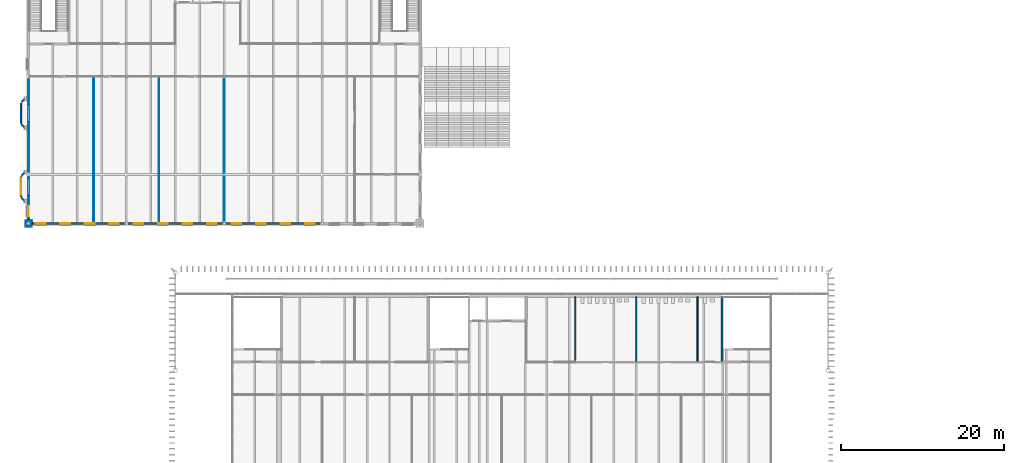
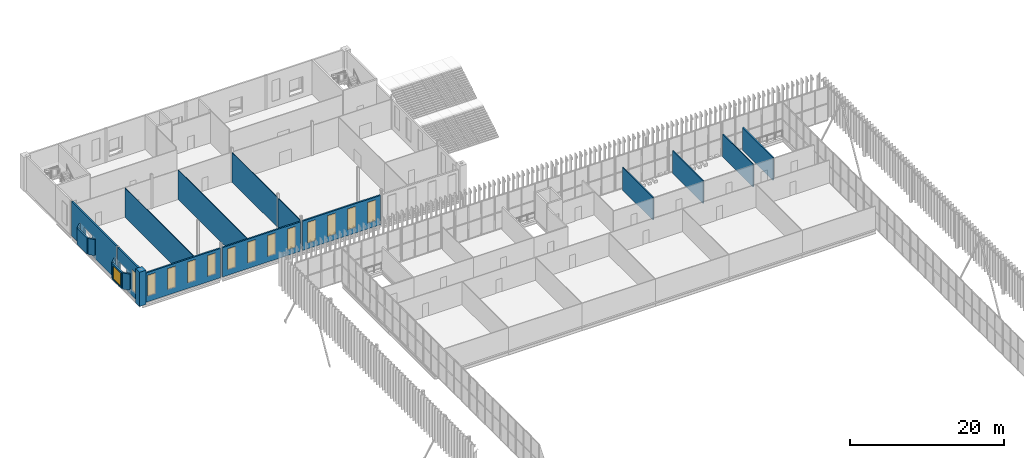
# One storey, part 111 of 170: 20 walls, 14 windows, 16 openings.
"""IFC4 building model written with IfcOpenShell, lengths in metres."""

from ifc_helpers import new_model, si_unit, direction, frame, frame_2d, origin, place, context, subcontext, project, spatial, rectangle, extrude, material, layer, layer_set, type_object, element, fill, save


model = new_model("IFC4")

# Units and contexts
model_context = context("Model", 3, precision=1e-05, world=origin(), true_north=direction((0.0, 1.0)))
body_context = subcontext(model_context, "Body", "Model", "MODEL_VIEW")
ifc_project = project(units=[si_unit("LENGTHUNIT", "METRE"), si_unit("AREAUNIT", "SQUARE_METRE"), si_unit("VOLUMEUNIT", "CUBIC_METRE"), si_unit("PLANEANGLEUNIT", "RADIAN"), si_unit("MASSUNIT", "GRAM", prefix="KILO")], contexts=[model_context])

# Site, building, storey
site_placement = place(None, origin())
site = spatial("IfcSite", under=ifc_project, at=site_placement, CompositionType="ELEMENT")
building_placement = place(site_placement, origin())
building = spatial("IfcBuilding", under=site, at=building_placement, Name="Ravi Spectrum Wholesale Market", CompositionType="ELEMENT")
storey_placement = place(building_placement, frame((0.0, 0.0, 5.39990234375)))
storey = spatial("IfcBuildingStorey", under=building, at=storey_placement, Name="L01", CompositionType="ELEMENT", Elevation=5.39990234375)

# Walls
ifc_material_1 = material(Name="Concrete blockwork", Category="masonry")
ifc_layer_1 = layer(ifc_material_1, 0.14990234375)
ifc_layer_set_1 = layer_set([ifc_layer_1], Name="Concrete blockwork")
wall_type_1 = type_object("IfcWallType", Name="Blockwork partition 150", PredefinedType="PARTITIONING", material=ifc_layer_set_1)
for number, where, z_axis, x_axis, name in (
    (1, (79.0, 187.074951171875, 0.0), (0.0, 0.0, 1.0), (0.0, 1.0, 0.0), "H1-WL-L01-032"),
    (2, (86.5, 187.074951171875, 0.0), (0.0, 0.0, 1.0), (0.0, 1.0, 0.0), "H1-WL-L01-034"),
    (3, (94.0, 187.074951171875, 0.0), (0.0, 0.0, 1.0), (0.0, 1.0, 0.0), "H1-WL-L01-036"),
):
    element("IfcWall", number, at=place(storey_placement, frame(where, z_axis=z_axis, x_axis=x_axis)), inside=storey, type_object=wall_type_1, Name=name, PredefinedType="PARTITIONING", context=body_context, shape_type="SweptSolid", body=[
        extrude(rectangle(XDim=7.925048828125, YDim=0.14990234375, at=frame_2d((3.96240234375, 0.0))), origin(), (0.0, 0.0, 1.0), 3.60009765625),
    ])
ifc_material_2 = material(Name="Concrete blockwork", Category="masonry")
ifc_layer_2 = layer(ifc_material_2, 0.199951171875)
ifc_layer_set_2 = layer_set([ifc_layer_2], Name="Concrete blockwork")
wall_type_2 = type_object("IfcWallType", Name="Blockwork partition 200 fire", PredefinedType="PARTITIONING", material=ifc_layer_set_2)
wall_1_placement = place(storey_placement, frame((97.0, 187.10009765625, 0.0), z_axis=(0.0, 0.0, 1.0), x_axis=(0.0, 1.0, 0.0)))
element("IfcWall", 4, at=wall_1_placement, inside=storey, type_object=wall_type_2, Name="H1-WL-L01-037", PredefinedType="PARTITIONING", context=body_context, shape_type="SweptSolid", body=[
    extrude(rectangle(XDim=7.89990234375, YDim=0.199951171875, at=frame_2d((3.949951171875, 0.0))), origin(), (0.0, 0.0, 1.0), 3.60009765625),
])

# Wall, openings, windows
ifc_material_3 = material(Name="Facing brickwork", Category="masonry")
ifc_layer_3 = layer(ifc_material_3, 0.22998046875)
ifc_layer_set_3 = layer_set([ifc_layer_3], Name="Facing brickwork")
wall_type_3 = type_object("IfcWallType", Name="Brick 230 facing", PredefinedType="SOLIDWALL", material=ifc_layer_set_3)
wall_2_placement = place(storey_placement, frame((12.5, 204.0, 0.0), z_axis=(0.0, 0.0, 1.0), x_axis=(1.0, 0.0, 0.0)))
wall_2 = element("IfcWall", 5, at=wall_2_placement, inside=storey, type_object=wall_type_3, Name="OF-WL-L01-009", PredefinedType="SOLIDWALL", context=body_context, shape_type="SweptSolid", body=[
    extrude(rectangle(XDim=11.35009765625, YDim=0.22998046875, at=frame_2d((5.675048828125, 0.0))), origin(), (0.0, 0.0, 1.0), 4.650146484375),
])
opening_1_placement = place(wall_2_placement, frame((0.39990234375, 0.0, 0.89990234375)))
opening_1 = element("IfcOpeningElement", 6, at=opening_1_placement, cuts=wall_2, Name="Opening W3221", PredefinedType="OPENING", context=body_context, shape_type="SweptSolid", body=[
    extrude(rectangle(XDim=1.199951171875, YDim=3.300048828125, at=frame_2d((0.60009765625, 1.64990234375))), frame((0.0, 0.125, 0.0), z_axis=(0.0, -1.0, 0.0), x_axis=(1.0, 0.0, 0.0)), (0.0, 0.0, 1.0), 0.25),
])
opening_2_placement = place(wall_2_placement, frame((3.39990234375, 0.0, 0.89990234375)))
opening_2 = element("IfcOpeningElement", 7, at=opening_2_placement, cuts=wall_2, Name="Opening W3222", PredefinedType="OPENING", context=body_context, shape_type="SweptSolid", body=[
    extrude(rectangle(XDim=1.199951171875, YDim=3.300048828125, at=frame_2d((0.60009765625, 1.64990234375))), frame((0.0, 0.125, 0.0), z_axis=(0.0, -1.0, 0.0), x_axis=(1.0, 0.0, 0.0)), (0.0, 0.0, 1.0), 0.25),
])
opening_3_placement = place(wall_2_placement, frame((6.39990234375, 0.0, 0.89990234375)))
opening_3 = element("IfcOpeningElement", 8, at=opening_3_placement, cuts=wall_2, Name="Opening W3223", PredefinedType="OPENING", context=body_context, shape_type="SweptSolid", body=[
    extrude(rectangle(XDim=1.199951171875, YDim=3.300048828125, at=frame_2d((0.60009765625, 1.64990234375))), frame((0.0, 0.125, 0.0), z_axis=(0.0, -1.0, 0.0), x_axis=(1.0, 0.0, 0.0)), (0.0, 0.0, 1.0), 0.25),
])
opening_4_placement = place(wall_2_placement, frame((9.39990234375, 0.0, 0.89990234375)))
opening_4 = element("IfcOpeningElement", 9, at=opening_4_placement, cuts=wall_2, Name="Opening W3224", PredefinedType="OPENING", context=body_context, shape_type="SweptSolid", body=[
    extrude(rectangle(XDim=1.199951171875, YDim=3.300048828125, at=frame_2d((0.60009765625, 1.64990234375))), frame((0.0, 0.125, 0.0), z_axis=(0.0, -1.0, 0.0), x_axis=(1.0, 0.0, 0.0)), (0.0, 0.0, 1.0), 0.25),
])
ifc_material_4 = material(Name="Steel window frame", Category="steel")
window_type_1 = type_object("IfcWindowType", Name="Tall pier window with jali 1200 x 3300", PartitioningType="SINGLE_PANEL", PredefinedType="WINDOW", material=ifc_material_4)
window_1_placement = place(opening_1_placement, origin())
window_1 = element("IfcWindow", 10, at=window_1_placement, inside=storey, type_object=window_type_1, Name="Window W3221", OverallHeight=3.300048828125, OverallWidth=1.199951171875, PartitioningType="SINGLE_PANEL", PredefinedType="WINDOW", context=body_context, shape_type="SweptSolid", body=[
    extrude(rectangle(XDim=1.199951171875, YDim=3.300048828125, at=frame_2d((0.60009765625, 1.64990234375))), frame((0.0, 0.030029296875, 0.0), z_axis=(0.0, -1.0, 0.0), x_axis=(1.0, 0.0, 0.0)), (0.0, 0.0, 1.0), 0.06005859375),
])
fill(opening_1, window_1)
window_2_placement = place(opening_2_placement, origin())
window_2 = element("IfcWindow", 11, at=window_2_placement, inside=storey, type_object=window_type_1, Name="Window W3222", OverallHeight=3.300048828125, OverallWidth=1.199951171875, PartitioningType="SINGLE_PANEL", PredefinedType="WINDOW", context=body_context, shape_type="SweptSolid", body=[
    extrude(rectangle(XDim=1.199951171875, YDim=3.300048828125, at=frame_2d((0.60009765625, 1.64990234375))), frame((0.0, 0.030029296875, 0.0), z_axis=(0.0, -1.0, 0.0), x_axis=(1.0, 0.0, 0.0)), (0.0, 0.0, 1.0), 0.06005859375),
])
fill(opening_2, window_2)
window_3_placement = place(opening_3_placement, origin())
window_3 = element("IfcWindow", 12, at=window_3_placement, inside=storey, type_object=window_type_1, Name="Window W3223", OverallHeight=3.300048828125, OverallWidth=1.199951171875, PartitioningType="SINGLE_PANEL", PredefinedType="WINDOW", context=body_context, shape_type="SweptSolid", body=[
    extrude(rectangle(XDim=1.199951171875, YDim=3.300048828125, at=frame_2d((0.60009765625, 1.64990234375))), frame((0.0, 0.030029296875, 0.0), z_axis=(0.0, -1.0, 0.0), x_axis=(1.0, 0.0, 0.0)), (0.0, 0.0, 1.0), 0.06005859375),
])
fill(opening_3, window_3)
window_4_placement = place(opening_4_placement, origin())
window_4 = element("IfcWindow", 13, at=window_4_placement, inside=storey, type_object=window_type_1, Name="Window W3224", OverallHeight=3.300048828125, OverallWidth=1.199951171875, PartitioningType="SINGLE_PANEL", PredefinedType="WINDOW", context=body_context, shape_type="SweptSolid", body=[
    extrude(rectangle(XDim=1.199951171875, YDim=3.300048828125, at=frame_2d((0.60009765625, 1.64990234375))), frame((0.0, 0.030029296875, 0.0), z_axis=(0.0, -1.0, 0.0), x_axis=(1.0, 0.0, 0.0)), (0.0, 0.0, 1.0), 0.06005859375),
])
fill(opening_4, window_4)

wall_3_placement = place(storey_placement, frame((24.14990234375, 204.0, 0.0), z_axis=(0.0, 0.0, 1.0), x_axis=(1.0, 0.0, 0.0)))
wall_3 = element("IfcWall", 14, at=wall_3_placement, inside=storey, type_object=wall_type_3, Name="OF-WL-L01-010", PredefinedType="SOLIDWALL", context=body_context, shape_type="SweptSolid", body=[
    extrude(rectangle(XDim=11.7001953125, YDim=0.22998046875, at=frame_2d((5.85009765625, 0.0))), origin(), (0.0, 0.0, 1.0), 4.650146484375),
])
opening_5_placement = place(wall_3_placement, frame((0.75, 0.0, 0.89990234375)))
opening_5 = element("IfcOpeningElement", 15, at=opening_5_placement, cuts=wall_3, Name="Opening W3225", PredefinedType="OPENING", context=body_context, shape_type="SweptSolid", body=[
    extrude(rectangle(XDim=1.199951171875, YDim=3.300048828125, at=frame_2d((0.60009765625, 1.64990234375))), frame((0.0, 0.125, 0.0), z_axis=(0.0, -1.0, 0.0), x_axis=(1.0, 0.0, 0.0)), (0.0, 0.0, 1.0), 0.25),
])
opening_6_placement = place(wall_3_placement, frame((3.75, 0.0, 0.89990234375)))
opening_6 = element("IfcOpeningElement", 16, at=opening_6_placement, cuts=wall_3, Name="Opening W3226", PredefinedType="OPENING", context=body_context, shape_type="SweptSolid", body=[
    extrude(rectangle(XDim=1.199951171875, YDim=3.300048828125, at=frame_2d((0.60009765625, 1.64990234375))), frame((0.0, 0.125, 0.0), z_axis=(0.0, -1.0, 0.0), x_axis=(1.0, 0.0, 0.0)), (0.0, 0.0, 1.0), 0.25),
])
opening_7_placement = place(wall_3_placement, frame((6.75, 0.0, 0.89990234375)))
opening_7 = element("IfcOpeningElement", 17, at=opening_7_placement, cuts=wall_3, Name="Opening W3227", PredefinedType="OPENING", context=body_context, shape_type="SweptSolid", body=[
    extrude(rectangle(XDim=1.199951171875, YDim=3.300048828125, at=frame_2d((0.60009765625, 1.64990234375))), frame((0.0, 0.125, 0.0), z_axis=(0.0, -1.0, 0.0), x_axis=(1.0, 0.0, 0.0)), (0.0, 0.0, 1.0), 0.25),
])
opening_8_placement = place(wall_3_placement, frame((9.75, 0.0, 0.89990234375)))
opening_8 = element("IfcOpeningElement", 18, at=opening_8_placement, cuts=wall_3, Name="Opening W3228", PredefinedType="OPENING", context=body_context, shape_type="SweptSolid", body=[
    extrude(rectangle(XDim=1.199951171875, YDim=3.300048828125, at=frame_2d((0.60009765625, 1.64990234375))), frame((0.0, 0.125, 0.0), z_axis=(0.0, -1.0, 0.0), x_axis=(1.0, 0.0, 0.0)), (0.0, 0.0, 1.0), 0.25),
])
window_5_placement = place(opening_5_placement, origin())
window_5 = element("IfcWindow", 19, at=window_5_placement, inside=storey, type_object=window_type_1, Name="Window W3225", OverallHeight=3.300048828125, OverallWidth=1.199951171875, PartitioningType="SINGLE_PANEL", PredefinedType="WINDOW", context=body_context, shape_type="SweptSolid", body=[
    extrude(rectangle(XDim=1.199951171875, YDim=3.300048828125, at=frame_2d((0.60009765625, 1.64990234375))), frame((0.0, 0.030029296875, 0.0), z_axis=(0.0, -1.0, 0.0), x_axis=(1.0, 0.0, 0.0)), (0.0, 0.0, 1.0), 0.06005859375),
])
fill(opening_5, window_5)
window_6_placement = place(opening_6_placement, origin())
window_6 = element("IfcWindow", 20, at=window_6_placement, inside=storey, type_object=window_type_1, Name="Window W3226", OverallHeight=3.300048828125, OverallWidth=1.199951171875, PartitioningType="SINGLE_PANEL", PredefinedType="WINDOW", context=body_context, shape_type="SweptSolid", body=[
    extrude(rectangle(XDim=1.199951171875, YDim=3.300048828125, at=frame_2d((0.60009765625, 1.64990234375))), frame((0.0, 0.030029296875, 0.0), z_axis=(0.0, -1.0, 0.0), x_axis=(1.0, 0.0, 0.0)), (0.0, 0.0, 1.0), 0.06005859375),
])
fill(opening_6, window_6)
window_7_placement = place(opening_7_placement, origin())
window_7 = element("IfcWindow", 21, at=window_7_placement, inside=storey, type_object=window_type_1, Name="Window W3227", OverallHeight=3.300048828125, OverallWidth=1.199951171875, PartitioningType="SINGLE_PANEL", PredefinedType="WINDOW", context=body_context, shape_type="SweptSolid", body=[
    extrude(rectangle(XDim=1.199951171875, YDim=3.300048828125, at=frame_2d((0.60009765625, 1.64990234375))), frame((0.0, 0.030029296875, 0.0), z_axis=(0.0, -1.0, 0.0), x_axis=(1.0, 0.0, 0.0)), (0.0, 0.0, 1.0), 0.06005859375),
])
fill(opening_7, window_7)
window_8_placement = place(opening_8_placement, origin())
window_8 = element("IfcWindow", 22, at=window_8_placement, inside=storey, type_object=window_type_1, Name="Window W3228", OverallHeight=3.300048828125, OverallWidth=1.199951171875, PartitioningType="SINGLE_PANEL", PredefinedType="WINDOW", context=body_context, shape_type="SweptSolid", body=[
    extrude(rectangle(XDim=1.199951171875, YDim=3.300048828125, at=frame_2d((0.60009765625, 1.64990234375))), frame((0.0, 0.030029296875, 0.0), z_axis=(0.0, -1.0, 0.0), x_axis=(1.0, 0.0, 0.0)), (0.0, 0.0, 1.0), 0.06005859375),
])
fill(opening_8, window_8)

wall_4_placement = place(storey_placement, frame((36.14990234375, 204.0, 0.0), z_axis=(0.0, 0.0, 1.0), x_axis=(1.0, 0.0, 0.0)))
wall_4 = element("IfcWall", 23, at=wall_4_placement, inside=storey, type_object=wall_type_3, Name="OF-WL-L01-011", PredefinedType="SOLIDWALL", context=body_context, shape_type="SweptSolid", body=[
    extrude(rectangle(XDim=11.7001953125, YDim=0.22998046875, at=frame_2d((5.85009765625, 0.0))), origin(), (0.0, 0.0, 1.0), 4.650146484375),
])
opening_9_placement = place(wall_4_placement, frame((0.75, 0.0, 0.89990234375)))
opening_9 = element("IfcOpeningElement", 24, at=opening_9_placement, cuts=wall_4, Name="Opening W3229", PredefinedType="OPENING", context=body_context, shape_type="SweptSolid", body=[
    extrude(rectangle(XDim=1.199951171875, YDim=3.300048828125, at=frame_2d((0.60009765625, 1.64990234375))), frame((0.0, 0.125, 0.0), z_axis=(0.0, -1.0, 0.0), x_axis=(1.0, 0.0, 0.0)), (0.0, 0.0, 1.0), 0.25),
])
opening_10_placement = place(wall_4_placement, frame((3.75, 0.0, 0.89990234375)))
opening_10 = element("IfcOpeningElement", 25, at=opening_10_placement, cuts=wall_4, Name="Opening W3230", PredefinedType="OPENING", context=body_context, shape_type="SweptSolid", body=[
    extrude(rectangle(XDim=1.199951171875, YDim=3.300048828125, at=frame_2d((0.60009765625, 1.64990234375))), frame((0.0, 0.125, 0.0), z_axis=(0.0, -1.0, 0.0), x_axis=(1.0, 0.0, 0.0)), (0.0, 0.0, 1.0), 0.25),
])
opening_11_placement = place(wall_4_placement, frame((6.75, 0.0, 0.89990234375)))
opening_11 = element("IfcOpeningElement", 26, at=opening_11_placement, cuts=wall_4, Name="Opening W3231", PredefinedType="OPENING", context=body_context, shape_type="SweptSolid", body=[
    extrude(rectangle(XDim=1.199951171875, YDim=3.300048828125, at=frame_2d((0.60009765625, 1.64990234375))), frame((0.0, 0.125, 0.0), z_axis=(0.0, -1.0, 0.0), x_axis=(1.0, 0.0, 0.0)), (0.0, 0.0, 1.0), 0.25),
])
opening_12_placement = place(wall_4_placement, frame((9.75, 0.0, 0.89990234375)))
opening_12 = element("IfcOpeningElement", 27, at=opening_12_placement, cuts=wall_4, Name="Opening W3232", PredefinedType="OPENING", context=body_context, shape_type="SweptSolid", body=[
    extrude(rectangle(XDim=1.199951171875, YDim=3.300048828125, at=frame_2d((0.60009765625, 1.64990234375))), frame((0.0, 0.125, 0.0), z_axis=(0.0, -1.0, 0.0), x_axis=(1.0, 0.0, 0.0)), (0.0, 0.0, 1.0), 0.25),
])
window_9_placement = place(opening_9_placement, origin())
window_9 = element("IfcWindow", 28, at=window_9_placement, inside=storey, type_object=window_type_1, Name="Window W3229", OverallHeight=3.300048828125, OverallWidth=1.199951171875, PartitioningType="SINGLE_PANEL", PredefinedType="WINDOW", context=body_context, shape_type="SweptSolid", body=[
    extrude(rectangle(XDim=1.199951171875, YDim=3.300048828125, at=frame_2d((0.60009765625, 1.64990234375))), frame((0.0, 0.030029296875, 0.0), z_axis=(0.0, -1.0, 0.0), x_axis=(1.0, 0.0, 0.0)), (0.0, 0.0, 1.0), 0.06005859375),
])
fill(opening_9, window_9)
window_10_placement = place(opening_10_placement, origin())
window_10 = element("IfcWindow", 29, at=window_10_placement, inside=storey, type_object=window_type_1, Name="Window W3230", OverallHeight=3.300048828125, OverallWidth=1.199951171875, PartitioningType="SINGLE_PANEL", PredefinedType="WINDOW", context=body_context, shape_type="SweptSolid", body=[
    extrude(rectangle(XDim=1.199951171875, YDim=3.300048828125, at=frame_2d((0.60009765625, 1.64990234375))), frame((0.0, 0.030029296875, 0.0), z_axis=(0.0, -1.0, 0.0), x_axis=(1.0, 0.0, 0.0)), (0.0, 0.0, 1.0), 0.06005859375),
])
fill(opening_10, window_10)
window_11_placement = place(opening_11_placement, origin())
window_11 = element("IfcWindow", 30, at=window_11_placement, inside=storey, type_object=window_type_1, Name="Window W3231", OverallHeight=3.300048828125, OverallWidth=1.199951171875, PartitioningType="SINGLE_PANEL", PredefinedType="WINDOW", context=body_context, shape_type="SweptSolid", body=[
    extrude(rectangle(XDim=1.199951171875, YDim=3.300048828125, at=frame_2d((0.60009765625, 1.64990234375))), frame((0.0, 0.030029296875, 0.0), z_axis=(0.0, -1.0, 0.0), x_axis=(1.0, 0.0, 0.0)), (0.0, 0.0, 1.0), 0.06005859375),
])
fill(opening_11, window_11)
window_12_placement = place(opening_12_placement, origin())
window_12 = element("IfcWindow", 31, at=window_12_placement, inside=storey, type_object=window_type_1, Name="Window W3232", OverallHeight=3.300048828125, OverallWidth=1.199951171875, PartitioningType="SINGLE_PANEL", PredefinedType="WINDOW", context=body_context, shape_type="SweptSolid", body=[
    extrude(rectangle(XDim=1.199951171875, YDim=3.300048828125, at=frame_2d((0.60009765625, 1.64990234375))), frame((0.0, 0.030029296875, 0.0), z_axis=(0.0, -1.0, 0.0), x_axis=(1.0, 0.0, 0.0)), (0.0, 0.0, 1.0), 0.06005859375),
])
fill(opening_12, window_12)

# Wall, openings, window
wall_5_placement = place(storey_placement, frame((12.0, 204.5, 0.0), z_axis=(0.0, 0.0, 1.0), x_axis=(0.0, 1.0, 0.0)))
wall_5 = element("IfcWall", 32, at=wall_5_placement, inside=storey, type_object=wall_type_3, Name="OF-WL-L01-018", PredefinedType="SOLIDWALL", context=body_context, shape_type="SweptSolid", body=[
    extrude(rectangle(XDim=5.35009765625, YDim=0.22998046875, at=frame_2d((2.675048828125, 0.0))), origin(), (0.0, 0.0, 1.0), 5.400146484375),
])
opening_13_placement = place(wall_5_placement, frame((0.39990234375, 0.0, 0.89990234375)))
opening_13 = element("IfcOpeningElement", 33, at=opening_13_placement, cuts=wall_5, Name="Opening W3244", PredefinedType="OPENING", context=body_context, shape_type="SweptSolid", body=[
    extrude(rectangle(XDim=1.199951171875, YDim=3.300048828125, at=frame_2d((0.60009765625, 1.64990234375))), frame((0.0, 0.125, 0.0), z_axis=(0.0, -1.0, 0.0), x_axis=(1.0, 0.0, 0.0)), (0.0, 0.0, 1.0), 0.25),
])
opening_14_placement = place(wall_5_placement, frame((3.0, 0.0, 0.75)))
element("IfcOpeningElement", 34, at=opening_14_placement, cuts=wall_5, Name="Opening OF-OP-L01-005", PredefinedType="OPENING", context=body_context, shape_type="SweptSolid", body=[
    extrude(rectangle(XDim=2.0, YDim=2.550048828125, at=frame_2d((1.0, 1.27490234375))), frame((0.0, 0.125, 0.0), z_axis=(0.0, -1.0, 0.0), x_axis=(1.0, 0.0, 0.0)), (0.0, 0.0, 1.0), 0.25),
])
window_13_placement = place(opening_13_placement, origin())
window_13 = element("IfcWindow", 35, at=window_13_placement, inside=storey, type_object=window_type_1, Name="Window W3244", OverallHeight=3.300048828125, OverallWidth=1.199951171875, PartitioningType="SINGLE_PANEL", PredefinedType="WINDOW", context=body_context, shape_type="SweptSolid", body=[
    extrude(rectangle(XDim=1.199951171875, YDim=3.300048828125, at=frame_2d((0.60009765625, 1.64990234375))), frame((0.0, 0.030029296875, 0.0), z_axis=(0.0, -1.0, 0.0), x_axis=(1.0, 0.0, 0.0)), (0.0, 0.0, 1.0), 0.06005859375),
])
fill(opening_13, window_13)

# Wall, opening
wall_6_placement = place(storey_placement, frame((12.0, 210.14990234375, 0.0), z_axis=(0.0, 0.0, 1.0), x_axis=(0.0, 1.0, 0.0)))
wall_6 = element("IfcWall", 36, at=wall_6_placement, inside=storey, type_object=wall_type_3, Name="OF-WL-L01-019", PredefinedType="SOLIDWALL", context=body_context, shape_type="SweptSolid", body=[
    extrude(rectangle(XDim=11.7001953125, YDim=0.22998046875, at=frame_2d((5.85009765625, 0.0))), origin(), (0.0, 0.0, 1.0), 5.400146484375),
])
opening_15_placement = place(wall_6_placement, frame((6.35009765625, 0.0, 0.75)))
element("IfcOpeningElement", 37, at=opening_15_placement, cuts=wall_6, Name="Opening OF-OP-L01-006", PredefinedType="OPENING", context=body_context, shape_type="SweptSolid", body=[
    extrude(rectangle(XDim=2.0, YDim=2.550048828125, at=frame_2d((1.0, 1.27490234375))), frame((0.0, 0.125, 0.0), z_axis=(0.0, -1.0, 0.0), x_axis=(1.0, 0.0, 0.0)), (0.0, 0.0, 1.0), 0.25),
])

# Wall
wall_7_placement = place(storey_placement, frame((11.8037109375, 206.481201171875, 0.75), z_axis=(0.0, 0.0, 1.0), x_axis=(-0.707106781187, 0.707106781187, 0.0)))
element("IfcWall", 38, at=wall_7_placement, inside=storey, type_object=wall_type_3, Name="Oriel wall", PredefinedType="SOLIDWALL", context=body_context, shape_type="SweptSolid", body=[
    extrude(rectangle(XDim=0.956298828125, YDim=0.22998046875, at=frame_2d((0.47802734375, 0.0))), origin(), (0.0, 0.0, 1.0), 2.550048828125),
])

# Wall, opening, window
wall_8_placement = place(storey_placement, frame((11.0849609375, 207.260009765625, 0.75), z_axis=(0.0, 0.0, 1.0), x_axis=(0.0, 1.0, 0.0)))
wall_8 = element("IfcWall", 39, at=wall_8_placement, inside=storey, type_object=wall_type_3, Name="Oriel wall", PredefinedType="SOLIDWALL", context=body_context, shape_type="SweptSolid", body=[
    extrude(rectangle(XDim=2.47998046875, YDim=0.22998046875, at=frame_2d((1.239990234375, 0.0))), origin(), (0.0, 0.0, 1.0), 2.550048828125),
])
opening_16_placement = place(wall_8_placement, frame((0.239990234375, 0.0, 0.14990234375)))
opening_16 = element("IfcOpeningElement", 40, at=opening_16_placement, cuts=wall_8, Name="Opening W3246", PredefinedType="OPENING", context=body_context, shape_type="SweptSolid", body=[
    extrude(rectangle(XDim=2.0, YDim=2.10009765625, at=frame_2d((1.0, 1.050048828125))), frame((0.0, 0.125, 0.0), z_axis=(0.0, -1.0, 0.0), x_axis=(1.0, 0.0, 0.0)), (0.0, 0.0, 1.0), 0.25),
])
ifc_material_5 = material(Name="Steel window frame", Category="steel")
window_type_2 = type_object("IfcWindowType", Name="Oriel window 2000 x 2100", PartitioningType="SINGLE_PANEL", PredefinedType="WINDOW", material=ifc_material_5)
window_14_placement = place(opening_16_placement, origin())
window_14 = element("IfcWindow", 41, at=window_14_placement, inside=storey, type_object=window_type_2, Name="Window W3246", OverallHeight=2.10009765625, OverallWidth=2.0, PartitioningType="SINGLE_PANEL", PredefinedType="WINDOW", context=body_context, shape_type="SweptSolid", body=[
    extrude(rectangle(XDim=2.0, YDim=2.10009765625, at=frame_2d((1.0, 1.050048828125))), frame((0.0, 0.030029296875, 0.0), z_axis=(0.0, -1.0, 0.0), x_axis=(1.0, 0.0, 0.0)), (0.0, 0.0, 1.0), 0.06005859375),
])
fill(opening_16, window_14)

# Walls
for number, where, z_axis, x_axis, name in (
    (42, (11.12744140625, 209.842529296875, 0.75), (0.0, 0.0, 1.0), (0.707106781187, 0.707106781187, 0.0), "Oriel wall"),
    (43, (11.8037109375, 215.481201171875, 0.75), (0.0, 0.0, 1.0), (-0.707106781187, 0.707106781187, 0.0), "Oriel wall"),
):
    element("IfcWall", number, at=place(storey_placement, frame(where, z_axis=z_axis, x_axis=x_axis)), inside=storey, type_object=wall_type_3, Name=name, PredefinedType="SOLIDWALL", context=body_context, shape_type="SweptSolid", body=[
        extrude(rectangle(XDim=0.956298828125, YDim=0.22998046875, at=frame_2d((0.47802734375, 0.0))), origin(), (0.0, 0.0, 1.0), 2.550048828125),
    ])
wall_9_placement = place(storey_placement, frame((11.0849609375, 216.260009765625, 0.75), z_axis=(0.0, 0.0, 1.0), x_axis=(0.0, 1.0, 0.0)))
element("IfcWall", 44, at=wall_9_placement, inside=storey, type_object=wall_type_3, Name="Oriel wall", PredefinedType="SOLIDWALL", context=body_context, shape_type="SweptSolid", body=[
    extrude(rectangle(XDim=2.47998046875, YDim=0.22998046875, at=frame_2d((1.239990234375, 0.0))), origin(), (0.0, 0.0, 1.0), 2.550048828125),
])
wall_10_placement = place(storey_placement, frame((11.12744140625, 218.842529296875, 0.75), z_axis=(0.0, 0.0, 1.0), x_axis=(0.707106781187, 0.707106781187, 0.0)))
element("IfcWall", 45, at=wall_10_placement, inside=storey, type_object=wall_type_3, Name="Oriel wall", PredefinedType="SOLIDWALL", context=body_context, shape_type="SweptSolid", body=[
    extrude(rectangle(XDim=0.956298828125, YDim=0.22998046875, at=frame_2d((0.47802734375, 0.0))), origin(), (0.0, 0.0, 1.0), 2.550048828125),
])
ifc_material_6 = material(Name="Clinker brickwork", Category="masonry")
ifc_layer_4 = layer(ifc_material_6, 1.0)
ifc_layer_set_4 = layer_set([ifc_layer_4], Name="Clinker brickwork")
wall_type_4 = type_object("IfcWallType", Name="Brick corner pier 1000", PredefinedType="SOLIDWALL", material=ifc_layer_set_4)
wall_11_placement = place(storey_placement, frame((11.5, 204.0, 0.0), z_axis=(0.0, 0.0, 1.0), x_axis=(1.0, 0.0, 0.0)))
element("IfcWall", 46, at=wall_11_placement, inside=storey, type_object=wall_type_4, Name="Corner pier", PredefinedType="SOLIDWALL", context=body_context, shape_type="SweptSolid", body=[
    extrude(rectangle(XDim=1.0, YDim=1.0, at=frame_2d((0.5, 0.0))), origin(), (0.0, 0.0, 1.0), 5.400146484375),
])
ifc_material_7 = material(Name="Gypsum board partition")
ifc_layer_5 = layer(ifc_material_7, 0.10009765625)
ifc_layer_set_5 = layer_set([ifc_layer_5], Name="Gypsum board partition")
wall_type_5 = type_object("IfcWallType", Name="Drywall partition 100", PredefinedType="PARTITIONING", material=ifc_layer_set_5)
for number, where, z_axis, x_axis, name in (
    (47, (20.0, 204.114990234375, 0.0), (0.0, 0.0, 1.0), (0.0, 1.0, 0.0), "OF-WL-L01-093"),
    (48, (28.0, 204.114990234375, 0.0), (0.0, 0.0, 1.0), (0.0, 1.0, 0.0), "OF-WL-L01-094"),
):
    element("IfcWall", number, at=place(storey_placement, frame(where, z_axis=z_axis, x_axis=x_axis)), inside=storey, type_object=wall_type_5, Name=name, PredefinedType="PARTITIONING", context=body_context, shape_type="SweptSolid", body=[
        extrude(rectangle(XDim=17.8349609375, YDim=0.10009765625, at=frame_2d((8.91748046875, 0.0))), origin(), (0.0, 0.0, 1.0), 4.650146484375),
    ])
wall_12_placement = place(storey_placement, frame((36.0, 204.177734375, 0.0), z_axis=(0.0, 0.0, 1.0), x_axis=(0.0, 1.0, 0.0)))
element("IfcWall", 49, at=wall_12_placement, inside=storey, type_object=wall_type_5, Name="OF-WL-L01-096", PredefinedType="PARTITIONING", context=body_context, shape_type="SweptSolid", body=[
    extrude(rectangle(XDim=5.67236328125, YDim=0.10009765625, at=frame_2d((2.836181640625, 0.0))), origin(), (0.0, 0.0, 1.0), 4.7001953125),
])
wall_13_placement = place(storey_placement, frame((36.0, 210.14990234375, 0.0), z_axis=(0.0, 0.0, 1.0), x_axis=(0.0, 1.0, 0.0)))
element("IfcWall", 50, at=wall_13_placement, inside=storey, type_object=wall_type_5, Name="OF-WL-L01-097", PredefinedType="PARTITIONING", context=body_context, shape_type="SweptSolid", body=[
    extrude(rectangle(XDim=11.7001953125, YDim=0.10009765625, at=frame_2d((5.85009765625, 0.0))), origin(), (0.0, 0.0, 1.0), 4.7001953125),
])

save(model, "model.ifc")
